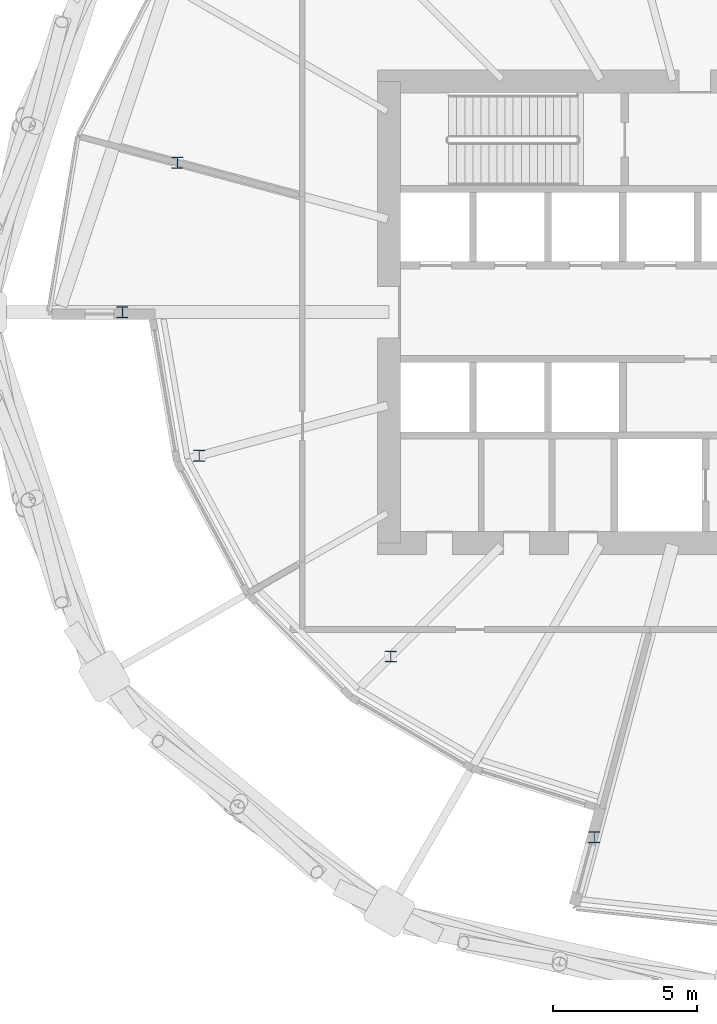
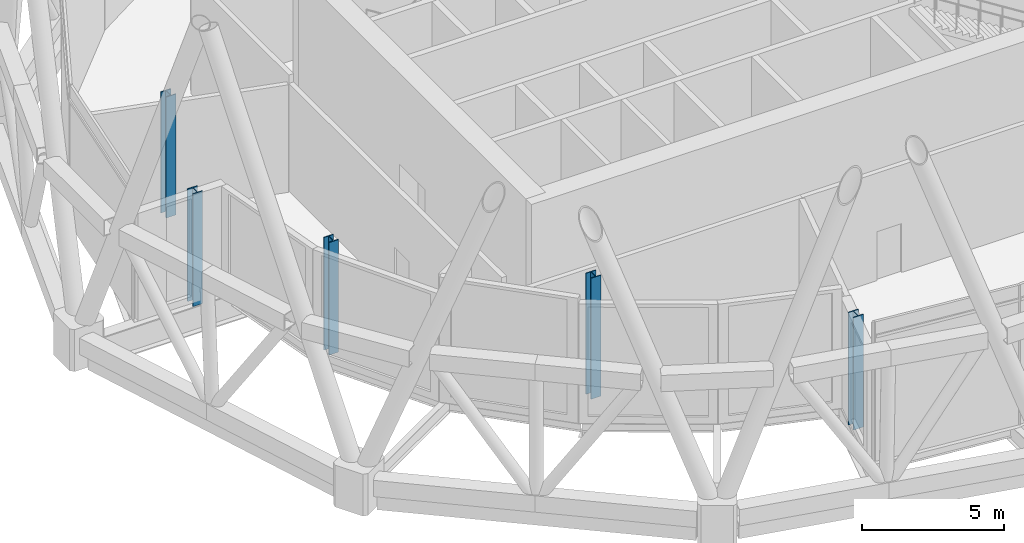
# One storey, part 1 of 33: 5 columns.
"""IFC4 building model written with IfcOpenShell, lengths in metres."""

from ifc_helpers import new_model, si_unit, direction, frame, origin, origin_2d, place, context, subcontext, project, spatial, i_section, extrude, material, material_profile, profile_set, type_object, element, save


model = new_model("IFC4")

# Units and contexts
model_context = context("Model", 3, precision=1e-05, world=origin(), true_north=direction((0.0, 1.0)))
body_context = subcontext(model_context, "Body", "Model", "MODEL_VIEW")
ifc_project = project(units=[si_unit("LENGTHUNIT", "METRE"), si_unit("AREAUNIT", "SQUARE_METRE"), si_unit("VOLUMEUNIT", "CUBIC_METRE"), si_unit("PLANEANGLEUNIT", "RADIAN"), si_unit("MASSUNIT", "GRAM", prefix="KILO")], contexts=[model_context])

# Site, building, storey
site_placement = place(None, origin())
site = spatial("IfcSite", under=ifc_project, at=site_placement, CompositionType="ELEMENT")
building_placement = place(site_placement, origin())
building = spatial("IfcBuilding", under=site, at=building_placement, Name="Rimbun Link Towers", CompositionType="ELEMENT")
storey_placement = place(building_placement, frame((0.0, 0.0, 75.60009765625)))
storey = spatial("IfcBuildingStorey", under=building, at=storey_placement, Name="L18", CompositionType="ELEMENT", Elevation=75.60009765625)

# Columns
ifc_material = material(Name="Steel S355J2", Category="steel")
ifc_material_profile = material_profile(ifc_material, i_section(OverallWidth=0.39892578125, OverallDepth=0.3935546875, WebThickness=0.022705078125, FlangeThickness=0.03662109375, at=origin_2d()), Name="UC 356x406x287")
ifc_profile_set = profile_set([ifc_material_profile], Name="Steel S355J2")
column_type = type_object("IfcColumnType", Name="UC 356x406x287", PredefinedType="COLUMN", material=ifc_profile_set)
column_1_placement = place(storey_placement, frame((-51.07861328125, 5.17919921875, -0.2001953125), z_axis=(0.0, 0.0, 1.0), x_axis=(1.0, 0.0, 0.0)))
element("IfcColumn", 1, at=column_1_placement, inside=storey, type_object=column_type, Name="Crease post T1 L18 11", PredefinedType="COLUMN", context=body_context, shape_type="SweptSolid", body=[
    extrude(i_section(OverallWidth=0.39892578125, OverallDepth=0.3935546875, WebThickness=0.022705078125, FlangeThickness=0.03662109375, at=origin_2d()), origin(), (0.0, 0.0, 1.0), 5.199462890625),
])
for number, where, z_axis, x_axis, name in (
    (2, (-52.986328125, 0.0, -0.2001953125), (0.0, 0.0, 1.0), (1.0, 0.0, 0.0), "Crease post T1 L18 12"),
    (3, (-50.326416015625, -4.9775390625, -0.2001953125), (0.0, 0.0, 1.0), (1.0, 0.0, 0.0), "Crease post T1 L18 13"),
):
    element("IfcColumn", number, at=place(storey_placement, frame(where, z_axis=z_axis, x_axis=x_axis)), inside=storey, type_object=column_type, Name=name, PredefinedType="COLUMN", context=body_context, shape_type="SweptSolid", body=[
        extrude(i_section(OverallWidth=0.39892578125, OverallDepth=0.3935546875, WebThickness=0.022705078125, FlangeThickness=0.03662109375, at=origin_2d()), origin(), (0.0, 0.0, 1.0), 4.840087890625),
    ])
column_2_placement = place(storey_placement, frame((-43.685791015625, -11.935791015625, -0.2001953125), z_axis=(0.0, 0.0, 1.0), x_axis=(1.0, 0.0, 0.0)))
element("IfcColumn", 4, at=column_2_placement, inside=storey, type_object=column_type, Name="Crease post T1 L18 15", PredefinedType="COLUMN", context=body_context, shape_type="SweptSolid", body=[
    extrude(i_section(OverallWidth=0.39892578125, OverallDepth=0.3935546875, WebThickness=0.022705078125, FlangeThickness=0.03662109375, at=origin_2d()), origin(), (0.0, 0.0, 1.0), 5.199462890625),
])
column_3_placement = place(storey_placement, frame((-36.6259765625, -18.197021484375, -0.2001953125), z_axis=(0.0, 0.0, 1.0), x_axis=(1.0, 0.0, 0.0)))
element("IfcColumn", 5, at=column_3_placement, inside=storey, type_object=column_type, Name="Crease post T1 L18 17", PredefinedType="COLUMN", context=body_context, shape_type="SweptSolid", body=[
    extrude(i_section(OverallWidth=0.39892578125, OverallDepth=0.3935546875, WebThickness=0.022705078125, FlangeThickness=0.03662109375, at=origin_2d()), origin(), (0.0, 0.0, 1.0), 4.840087890625),
])

save(model, "model.ifc")
